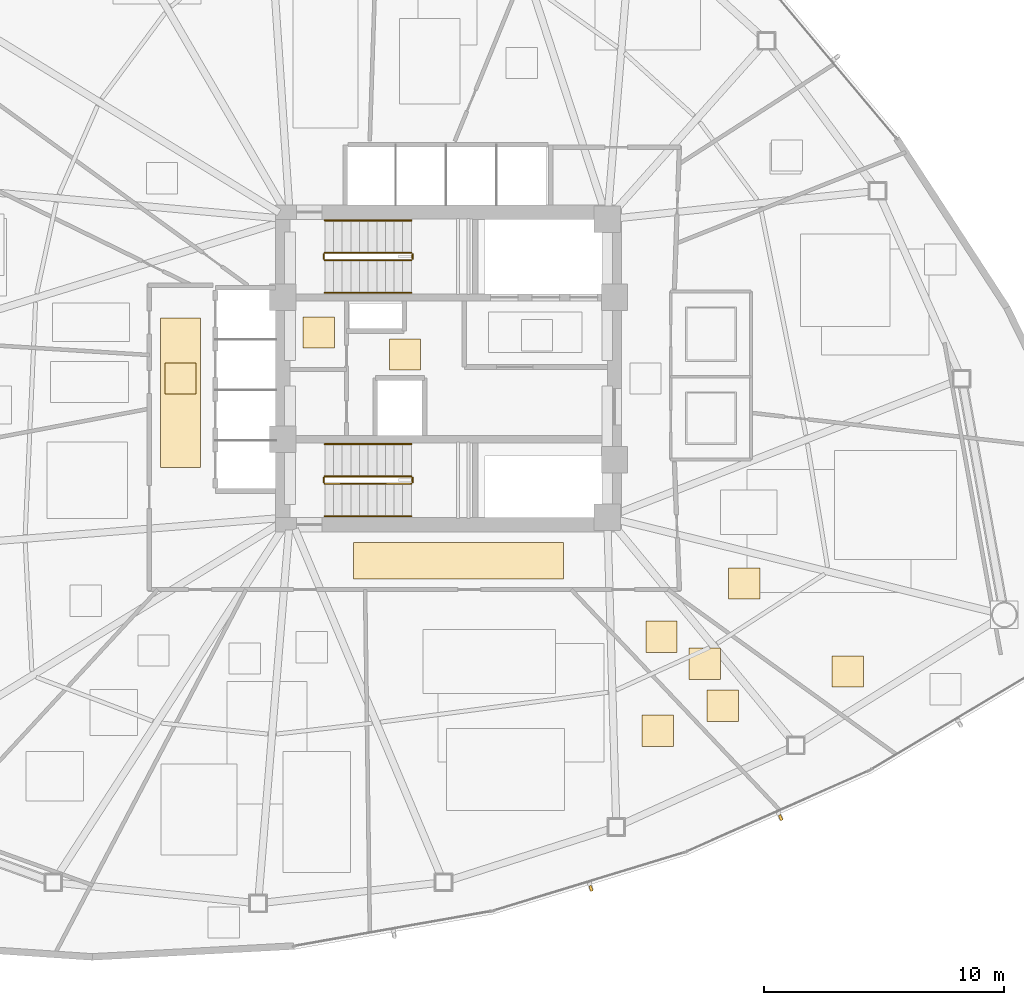
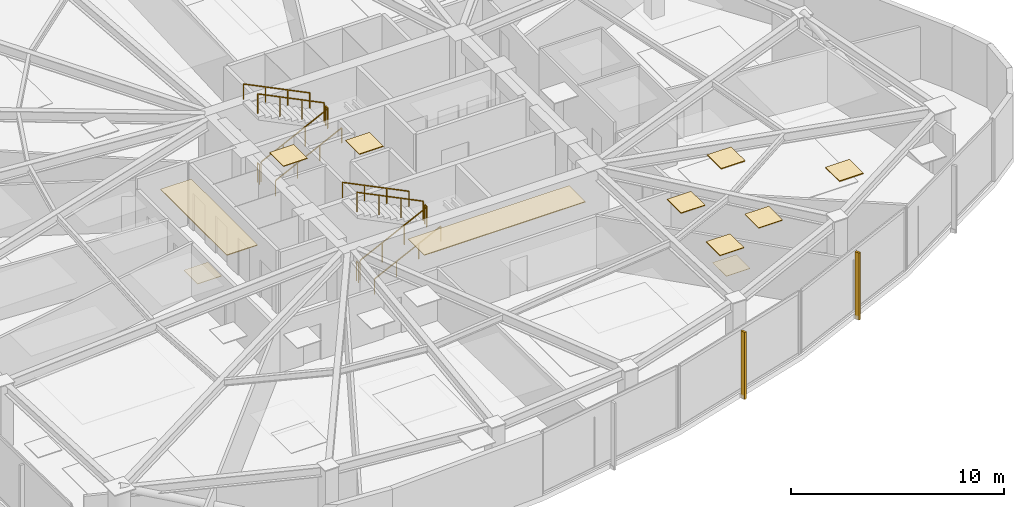
# One storey, part 15 of 17: 12 railings, 11 coverings, 2 shading devices.
"""IFC4 building model written with IfcOpenShell, lengths in metres."""

from ifc_helpers import new_model, si_unit, direction, frame, origin, origin_2d, place, context, subcontext, project, spatial, polyline, rectangle, outline, extrude, source, transform, mapped, material, layer, layer_set, type_object, type_shapes, element, save


model = new_model("IFC4")

# Units and contexts
model_context = context("Model", 3, precision=1e-05, world=origin(), true_north=direction((0.0, 1.0)))
body_context = subcontext(model_context, "Body", "Model", "MODEL_VIEW")
ifc_project = project(units=[si_unit("LENGTHUNIT", "METRE"), si_unit("AREAUNIT", "SQUARE_METRE"), si_unit("VOLUMEUNIT", "CUBIC_METRE"), si_unit("PLANEANGLEUNIT", "RADIAN"), si_unit("MASSUNIT", "GRAM", prefix="KILO")], contexts=[model_context])

# Site, building, storey
site_placement = place(None, origin())
site = spatial("IfcSite", under=ifc_project, at=site_placement, CompositionType="ELEMENT")
building_placement = place(site_placement, origin())
building = spatial("IfcBuilding", under=site, at=building_placement, Name="Tavelor Broadcast Tower", CompositionType="ELEMENT")
storey_placement = place(building_placement, frame((0.0, 0.0, 82.199951171875)))
storey = spatial("IfcBuildingStorey", under=building, at=storey_placement, Name="L19", CompositionType="ELEMENT", Elevation=82.199951171875)

# Coverings
ifc_material_1 = material(Name="Copper-Bronze Anodized Aluminium", Category="aluminium")
ifc_layer_1 = layer(ifc_material_1, 0.044921875)
ifc_layer_set_1 = layer_set([ifc_layer_1], Name="Copper-Bronze Anodized Aluminium")
covering_type_1 = type_object("IfcCoveringType", Name="Anodised Bronze Linear Slatted Concourse Ceiling 45 mm", PredefinedType="CEILING", material=ifc_layer_set_1)
covering_1_placement = place(storey_placement, frame((0.0, 0.0, 3.554931640625)))
element("IfcCovering", 1, at=covering_1_placement, inside=storey, type_object=covering_type_1, Name="L19 Suspended Acoustic Ceiling 0781", PredefinedType="CEILING", context=body_context, shape_type="SweptSolid", body=[
    extrude(outline(polyline([(47.5400390625, 44.919921875), (48.840087890625, 44.919921875), (48.840087890625, 46.219970703125), (47.5400390625, 46.219970703125), (47.5400390625, 44.919921875)])), origin(), (0.0, 0.0, 1.0), 0.045166015625),
])
covering_2_placement = place(storey_placement, frame((0.0, 0.0, 3.554931640625)))
element("IfcCovering", 2, at=covering_2_placement, inside=storey, type_object=covering_type_1, Name="L19 Suspended Acoustic Ceiling 0784", PredefinedType="CEILING", context=body_context, shape_type="SweptSolid", body=[
    extrude(outline(polyline([(46.05078125, 36.23828125), (54.776611328125, 36.23828125), (54.776611328125, 37.76171875), (46.05078125, 37.76171875), (46.05078125, 36.23828125)])), origin(), (0.0, 0.0, 1.0), 0.045166015625),
])
covering_3_placement = place(storey_placement, frame((0.0, 0.0, 3.554931640625)))
element("IfcCovering", 3, at=covering_3_placement, inside=storey, type_object=covering_type_1, Name="L19 Suspended Acoustic Ceiling 0785", PredefinedType="CEILING", context=body_context, shape_type="SweptSolid", body=[
    extrude(outline(polyline([(38.01611328125, 40.868896484375), (39.683837890625, 40.868896484375), (39.683837890625, 47.096923828125), (38.01611328125, 47.096923828125), (38.01611328125, 40.868896484375)])), origin(), (0.0, 0.0, 1.0), 0.045166015625),
])

# Railings
ifc_material_2 = material(Name="Steel S355", Category="steel")
railing_type_1 = type_object("IfcRailingType", Name="Continuous Brushed Stainless Handrail 900 mm", PredefinedType="HANDRAIL", material=ifc_material_2)
railing_1_placement = place(storey_placement, frame((44.85009765625, 48.14990234375, 0.17724609375)))
element("IfcRailing", 4, at=railing_1_placement, inside=storey, type_object=railing_type_1, Name="L19 ST1 stair handrail 1", PredefinedType="HANDRAIL", context=body_context, shape_type="SweptSolid", body=[
    extrude(rectangle(XDim=0.048095703125, YDim=0.048095703125, at=origin_2d()), frame((0.0, 0.0, 0.8759765625), z_axis=(0.897124305991, 0.0, 0.441778201817), x_axis=(0.0, 1.0, 0.0)), (0.0, 0.0, 1.0), 4.0126953125),
    extrude(rectangle(XDim=0.0419921875, YDim=0.0419921875, at=origin_2d()), origin(), (0.0, 0.0, 1.0), 0.851806640625),
    extrude(rectangle(XDim=0.0419921875, YDim=0.0419921875, at=origin_2d()), frame((1.199951171875, 0.0, 0.5908203125)), (0.0, 0.0, 1.0), 0.851806640625),
    extrude(rectangle(XDim=0.0419921875, YDim=0.0419921875, at=origin_2d()), frame((2.39990234375, 0.0, 1.181884765625)), (0.0, 0.0, 1.0), 0.851806640625),
    extrude(rectangle(XDim=0.0419921875, YDim=0.0419921875, at=origin_2d()), frame((3.599853515625, 0.0, 1.772705078125)), (0.0, 0.0, 1.0), 0.851806640625),
])
railing_2_placement = place(storey_placement, frame((48.449951171875, 51.14990234375, 2.12744140625)))
element("IfcRailing", 5, at=railing_2_placement, inside=storey, type_object=railing_type_1, Name="L19 ST1 stair handrail 2", PredefinedType="HANDRAIL", context=body_context, shape_type="SweptSolid", body=[
    extrude(rectangle(XDim=0.048095703125, YDim=0.048095703125, at=origin_2d()), frame((0.0, 0.0, 0.8759765625), z_axis=(-0.897124305991, 0.0, 0.441778201817), x_axis=(0.0, -1.0, 0.0)), (0.0, 0.0, 1.0), 4.0126953125),
    extrude(rectangle(XDim=0.0419921875, YDim=0.0419921875, at=origin_2d()), origin(), (0.0, 0.0, 1.0), 0.851806640625),
    extrude(rectangle(XDim=0.0419921875, YDim=0.0419921875, at=origin_2d()), frame((-1.199951171875, 0.0, 0.5908203125)), (0.0, 0.0, 1.0), 0.851806640625),
    extrude(rectangle(XDim=0.0419921875, YDim=0.0419921875, at=origin_2d()), frame((-2.39990234375, 0.0, 1.181884765625)), (0.0, 0.0, 1.0), 0.851806640625),
    extrude(rectangle(XDim=0.0419921875, YDim=0.0419921875, at=origin_2d()), frame((-3.599853515625, 0.0, 1.772705078125)), (0.0, 0.0, 1.0), 0.851806640625),
])
railing_3_placement = place(storey_placement, frame((44.85009765625, 38.85009765625, 0.17724609375)))
element("IfcRailing", 6, at=railing_3_placement, inside=storey, type_object=railing_type_1, Name="L19 ST2 stair handrail 1", PredefinedType="HANDRAIL", context=body_context, shape_type="SweptSolid", body=[
    extrude(rectangle(XDim=0.048095703125, YDim=0.048095703125, at=origin_2d()), frame((0.0, 0.0, 0.8759765625), z_axis=(0.897124305991, 0.0, 0.441778201817), x_axis=(0.0, 1.0, 0.0)), (0.0, 0.0, 1.0), 4.0126953125),
    extrude(rectangle(XDim=0.0419921875, YDim=0.0419921875, at=origin_2d()), origin(), (0.0, 0.0, 1.0), 0.851806640625),
    extrude(rectangle(XDim=0.0419921875, YDim=0.0419921875, at=origin_2d()), frame((1.199951171875, 0.0, 0.5908203125)), (0.0, 0.0, 1.0), 0.851806640625),
    extrude(rectangle(XDim=0.0419921875, YDim=0.0419921875, at=origin_2d()), frame((2.39990234375, 0.0, 1.181884765625)), (0.0, 0.0, 1.0), 0.851806640625),
    extrude(rectangle(XDim=0.0419921875, YDim=0.0419921875, at=origin_2d()), frame((3.599853515625, 0.0, 1.772705078125)), (0.0, 0.0, 1.0), 0.851806640625),
])
railing_4_placement = place(storey_placement, frame((48.449951171875, 41.85009765625, 2.12744140625)))
element("IfcRailing", 7, at=railing_4_placement, inside=storey, type_object=railing_type_1, Name="L19 ST2 stair handrail 2", PredefinedType="HANDRAIL", context=body_context, shape_type="SweptSolid", body=[
    extrude(rectangle(XDim=0.048095703125, YDim=0.048095703125, at=origin_2d()), frame((0.0, 0.0, 0.8759765625), z_axis=(-0.897124305991, 0.0, 0.441778201817), x_axis=(0.0, -1.0, 0.0)), (0.0, 0.0, 1.0), 4.0126953125),
    extrude(rectangle(XDim=0.0419921875, YDim=0.0419921875, at=origin_2d()), origin(), (0.0, 0.0, 1.0), 0.851806640625),
    extrude(rectangle(XDim=0.0419921875, YDim=0.0419921875, at=origin_2d()), frame((-1.199951171875, 0.0, 0.5908203125)), (0.0, 0.0, 1.0), 0.851806640625),
    extrude(rectangle(XDim=0.0419921875, YDim=0.0419921875, at=origin_2d()), frame((-2.39990234375, 0.0, 1.181884765625)), (0.0, 0.0, 1.0), 0.851806640625),
    extrude(rectangle(XDim=0.0419921875, YDim=0.0419921875, at=origin_2d()), frame((-3.599853515625, 0.0, 1.772705078125)), (0.0, 0.0, 1.0), 0.851806640625),
])

# Coverings
ifc_material_3 = material(Name="Acoustic Nylon Carpet Tile")
ifc_layer_2 = layer(ifc_material_3, 0.02001953125)
ifc_layer_set_2 = layer_set([ifc_layer_2], Name="Acoustic Nylon Carpet Tile")
covering_type_2 = type_object("IfcCoveringType", Name="Heavy-Duty Acoustic Broadcast Carpet Tile 20 mm", PredefinedType="FLOORING", material=ifc_layer_set_2)
covering_4_placement = place(storey_placement, origin())
element("IfcCovering", 8, at=covering_4_placement, inside=storey, type_object=covering_type_2, Name="L19 Broadcast Floor Finish 0275", PredefinedType="FLOORING", context=body_context, shape_type="SweptSolid", body=[
    extrude(outline(polyline([(60.01025390625, 32.06005859375), (61.310302734375, 32.06005859375), (61.310302734375, 33.360107421875), (60.01025390625, 33.360107421875), (60.01025390625, 32.06005859375)])), origin(), (0.0, 0.0, 1.0), 0.02001953125),
])
ifc_material_4 = material(Name="Honed Natural Limestone Tile", Category="masonry")
ifc_layer_3 = layer(ifc_material_4, 0.030029296875)
ifc_layer_set_3 = layer_set([ifc_layer_3], Name="Honed Natural Limestone Tile")
covering_type_3 = type_object("IfcCoveringType", Name="Honed Jerusalem Limestone Concourse Flooring 30 mm", PredefinedType="FLOORING", material=ifc_layer_set_3)
covering_5_placement = place(storey_placement, origin())
element("IfcCovering", 9, at=covering_5_placement, inside=storey, type_object=covering_type_3, Name="L19 Broadcast Floor Finish 0272", PredefinedType="FLOORING", context=body_context, shape_type="SweptSolid", body=[
    extrude(outline(polyline([(38.199951171875, 43.925048828125), (39.5, 43.925048828125), (39.5, 45.22509765625), (38.199951171875, 45.22509765625), (38.199951171875, 43.925048828125)])), origin(), (0.0, 0.0, 1.0), 0.030029296875),
])
ifc_material_5 = material(Name="Acoustic Perforated Timber Baffle", Category="wood")
ifc_layer_4 = layer(ifc_material_5, 0.054931640625)
ifc_layer_set_4 = layer_set([ifc_layer_4], Name="Acoustic Perforated Timber Baffle")
covering_type_4 = type_object("IfcCoveringType", Name="Micro-Perforated Acoustic Baffle Studio Ceiling 55 mm", PredefinedType="CEILING", material=ifc_layer_set_4)
covering_6_placement = place(storey_placement, frame((0.0, 0.0, 3.545166015625)))
element("IfcCovering", 10, at=covering_6_placement, inside=storey, type_object=covering_type_4, Name="L19 Suspended Acoustic Ceiling 0824", PredefinedType="CEILING", context=body_context, shape_type="SweptSolid", body=[
    extrude(outline(polyline([(65.956787109375, 31.7373046875), (67.256591796875, 31.7373046875), (67.256591796875, 33.037353515625), (65.956787109375, 33.037353515625), (65.956787109375, 31.7373046875)])), origin(), (0.0, 0.0, 1.0), 0.054931640625),
])
covering_7_placement = place(storey_placement, frame((0.0, 0.0, 3.545166015625)))
element("IfcCovering", 11, at=covering_7_placement, inside=storey, type_object=covering_type_4, Name="L19 Suspended Acoustic Ceiling 0826", PredefinedType="CEILING", context=body_context, shape_type="SweptSolid", body=[
    extrude(outline(polyline([(61.6533203125, 35.400146484375), (62.953369140625, 35.400146484375), (62.953369140625, 36.7001953125), (61.6533203125, 36.7001953125), (61.6533203125, 35.400146484375)])), origin(), (0.0, 0.0, 1.0), 0.054931640625),
])

# Railings
railing_type_2 = type_object("IfcRailingType", Name="Stairwell Steel Safety Guardrail 1150 mm", PredefinedType="GUARDRAIL", material=ifc_material_2)
railing_5_placement = place(storey_placement, frame((44.85009765625, 49.5, 0.17724609375)))
element("IfcRailing", 12, at=railing_5_placement, inside=storey, type_object=railing_type_2, Name="L19 ST1 stair guard 1", PredefinedType="GUARDRAIL", context=body_context, shape_type="SweptSolid", body=[
    extrude(rectangle(XDim=0.048095703125, YDim=0.048095703125, at=origin_2d()), frame((0.0, 0.0, 1.1259765625), z_axis=(0.897124305991, 0.0, 0.441778201817), x_axis=(0.0, 1.0, 0.0)), (0.0, 0.0, 1.0), 4.0126953125),
    extrude(rectangle(XDim=0.0419921875, YDim=0.0419921875, at=origin_2d()), origin(), (0.0, 0.0, 1.0), 1.101806640625),
    extrude(rectangle(XDim=0.0419921875, YDim=0.0419921875, at=origin_2d()), frame((1.199951171875, 0.0, 0.5908203125)), (0.0, 0.0, 1.0), 1.101806640625),
    extrude(rectangle(XDim=0.0419921875, YDim=0.0419921875, at=origin_2d()), frame((2.39990234375, 0.0, 1.181884765625)), (0.0, 0.0, 1.0), 1.101806640625),
    extrude(rectangle(XDim=0.0419921875, YDim=0.0419921875, at=origin_2d()), frame((3.599853515625, 0.0, 1.772705078125)), (0.0, 0.0, 1.0), 1.101806640625),
])
railing_6_placement = place(storey_placement, frame((48.5, 49.550048828125, 1.949951171875)))
element("IfcRailing", 13, at=railing_6_placement, inside=storey, type_object=railing_type_2, Name="L19 ST1 stair guard 2", PredefinedType="GUARDRAIL", context=body_context, shape_type="SweptSolid", body=[
    extrude(rectangle(XDim=0.048095703125, YDim=0.048095703125, at=origin_2d()), frame((0.0, 0.0, 1.1259765625), z_axis=(0.0, 1.0, 0.0), x_axis=(-1.0, 0.0, 0.0)), (0.0, 0.0, 1.0), 0.199951171875),
    extrude(rectangle(XDim=0.0419921875, YDim=0.0419921875, at=origin_2d()), origin(), (0.0, 0.0, 1.0), 1.101806640625),
    extrude(rectangle(XDim=0.0419921875, YDim=0.0419921875, at=origin_2d()), frame((0.0, 0.199951171875, 0.0)), (0.0, 0.0, 1.0), 1.101806640625),
])
railing_7_placement = place(storey_placement, frame((48.449951171875, 49.800048828125, 2.12744140625)))
element("IfcRailing", 14, at=railing_7_placement, inside=storey, type_object=railing_type_2, Name="L19 ST1 stair guard 3", PredefinedType="GUARDRAIL", context=body_context, shape_type="SweptSolid", body=[
    extrude(rectangle(XDim=0.048095703125, YDim=0.048095703125, at=origin_2d()), frame((0.0, 0.0, 1.1259765625), z_axis=(-0.897124305991, 0.0, 0.441778201817), x_axis=(0.0, -1.0, 0.0)), (0.0, 0.0, 1.0), 4.0126953125),
    extrude(rectangle(XDim=0.0419921875, YDim=0.0419921875, at=origin_2d()), origin(), (0.0, 0.0, 1.0), 1.101806640625),
    extrude(rectangle(XDim=0.0419921875, YDim=0.0419921875, at=origin_2d()), frame((-1.199951171875, 0.0, 0.5908203125)), (0.0, 0.0, 1.0), 1.101806640625),
    extrude(rectangle(XDim=0.0419921875, YDim=0.0419921875, at=origin_2d()), frame((-2.39990234375, 0.0, 1.181884765625)), (0.0, 0.0, 1.0), 1.101806640625),
    extrude(rectangle(XDim=0.0419921875, YDim=0.0419921875, at=origin_2d()), frame((-3.599853515625, 0.0, 1.772705078125)), (0.0, 0.0, 1.0), 1.101806640625),
])
railing_8_placement = place(storey_placement, frame((44.800048828125, 49.550048828125, 0.0)))
element("IfcRailing", 15, at=railing_8_placement, inside=storey, type_object=railing_type_2, Name="L19 ST1 stair guard 4", PredefinedType="GUARDRAIL", context=body_context, shape_type="SweptSolid", body=[
    extrude(rectangle(XDim=0.048095703125, YDim=0.048095703125, at=origin_2d()), frame((0.0, 0.0, 1.1259765625), z_axis=(0.0, 1.0, 0.0), x_axis=(-1.0, 0.0, 0.0)), (0.0, 0.0, 1.0), 0.199951171875),
    extrude(rectangle(XDim=0.0419921875, YDim=0.0419921875, at=origin_2d()), origin(), (0.0, 0.0, 1.0), 1.101806640625),
    extrude(rectangle(XDim=0.0419921875, YDim=0.0419921875, at=origin_2d()), frame((0.0, 0.199951171875, 0.0)), (0.0, 0.0, 1.0), 1.101806640625),
])
railing_9_placement = place(storey_placement, frame((44.85009765625, 40.199951171875, 0.17724609375)))
element("IfcRailing", 16, at=railing_9_placement, inside=storey, type_object=railing_type_2, Name="L19 ST2 stair guard 1", PredefinedType="GUARDRAIL", context=body_context, shape_type="SweptSolid", body=[
    extrude(rectangle(XDim=0.048095703125, YDim=0.048095703125, at=origin_2d()), frame((0.0, 0.0, 1.1259765625), z_axis=(0.897124305991, 0.0, 0.441778201817), x_axis=(0.0, 1.0, 0.0)), (0.0, 0.0, 1.0), 4.0126953125),
    extrude(rectangle(XDim=0.0419921875, YDim=0.0419921875, at=origin_2d()), origin(), (0.0, 0.0, 1.0), 1.101806640625),
    extrude(rectangle(XDim=0.0419921875, YDim=0.0419921875, at=origin_2d()), frame((1.199951171875, 0.0, 0.5908203125)), (0.0, 0.0, 1.0), 1.101806640625),
    extrude(rectangle(XDim=0.0419921875, YDim=0.0419921875, at=origin_2d()), frame((2.39990234375, 0.0, 1.181884765625)), (0.0, 0.0, 1.0), 1.101806640625),
    extrude(rectangle(XDim=0.0419921875, YDim=0.0419921875, at=origin_2d()), frame((3.599853515625, 0.0, 1.772705078125)), (0.0, 0.0, 1.0), 1.101806640625),
])
railing_10_placement = place(storey_placement, frame((48.5, 40.25, 1.949951171875)))
element("IfcRailing", 17, at=railing_10_placement, inside=storey, type_object=railing_type_2, Name="L19 ST2 stair guard 2", PredefinedType="GUARDRAIL", context=body_context, shape_type="SweptSolid", body=[
    extrude(rectangle(XDim=0.048095703125, YDim=0.048095703125, at=origin_2d()), frame((0.0, 0.0, 1.1259765625), z_axis=(0.0, 1.0, 0.0), x_axis=(-1.0, 0.0, 0.0)), (0.0, 0.0, 1.0), 0.199951171875),
    extrude(rectangle(XDim=0.0419921875, YDim=0.0419921875, at=origin_2d()), origin(), (0.0, 0.0, 1.0), 1.101806640625),
    extrude(rectangle(XDim=0.0419921875, YDim=0.0419921875, at=origin_2d()), frame((0.0, 0.199951171875, 0.0)), (0.0, 0.0, 1.0), 1.101806640625),
])
railing_11_placement = place(storey_placement, frame((48.449951171875, 40.5, 2.12744140625)))
element("IfcRailing", 18, at=railing_11_placement, inside=storey, type_object=railing_type_2, Name="L19 ST2 stair guard 3", PredefinedType="GUARDRAIL", context=body_context, shape_type="SweptSolid", body=[
    extrude(rectangle(XDim=0.048095703125, YDim=0.048095703125, at=origin_2d()), frame((0.0, 0.0, 1.1259765625), z_axis=(-0.897124305991, 0.0, 0.441778201817), x_axis=(0.0, -1.0, 0.0)), (0.0, 0.0, 1.0), 4.0126953125),
    extrude(rectangle(XDim=0.0419921875, YDim=0.0419921875, at=origin_2d()), origin(), (0.0, 0.0, 1.0), 1.101806640625),
    extrude(rectangle(XDim=0.0419921875, YDim=0.0419921875, at=origin_2d()), frame((-1.199951171875, 0.0, 0.5908203125)), (0.0, 0.0, 1.0), 1.101806640625),
    extrude(rectangle(XDim=0.0419921875, YDim=0.0419921875, at=origin_2d()), frame((-2.39990234375, 0.0, 1.181884765625)), (0.0, 0.0, 1.0), 1.101806640625),
    extrude(rectangle(XDim=0.0419921875, YDim=0.0419921875, at=origin_2d()), frame((-3.599853515625, 0.0, 1.772705078125)), (0.0, 0.0, 1.0), 1.101806640625),
])
railing_12_placement = place(storey_placement, frame((44.800048828125, 40.25, 0.0)))
element("IfcRailing", 19, at=railing_12_placement, inside=storey, type_object=railing_type_2, Name="L19 ST2 stair guard 4", PredefinedType="GUARDRAIL", context=body_context, shape_type="SweptSolid", body=[
    extrude(rectangle(XDim=0.048095703125, YDim=0.048095703125, at=origin_2d()), frame((0.0, 0.0, 1.1259765625), z_axis=(0.0, 1.0, 0.0), x_axis=(-1.0, 0.0, 0.0)), (0.0, 0.0, 1.0), 0.199951171875),
    extrude(rectangle(XDim=0.0419921875, YDim=0.0419921875, at=origin_2d()), origin(), (0.0, 0.0, 1.0), 1.101806640625),
    extrude(rectangle(XDim=0.0419921875, YDim=0.0419921875, at=origin_2d()), frame((0.0, 0.199951171875, 0.0)), (0.0, 0.0, 1.0), 1.101806640625),
])

# Coverings
ifc_material_6 = material(Name="Acoustic Mineral Fibre Tile")
ifc_layer_5 = layer(ifc_material_6, 0.0400390625)
ifc_layer_set_5 = layer_set([ifc_layer_5], Name="Acoustic Mineral Fibre Tile")
covering_type_5 = type_object("IfcCoveringType", Name="Suspended Acoustic Mineral-Fibre Office Ceiling 40 mm", PredefinedType="CEILING", material=ifc_layer_set_5)
covering_8_placement = place(storey_placement, frame((0.0, 0.0, 3.56005859375)))
element("IfcCovering", 20, at=covering_8_placement, inside=storey, type_object=covering_type_5, Name="L19 Suspended Acoustic Ceiling 0782", PredefinedType="CEILING", context=body_context, shape_type="SweptSolid", body=[
    extrude(outline(polyline([(43.951416015625, 45.843017578125), (45.25146484375, 45.843017578125), (45.25146484375, 47.14306640625), (43.951416015625, 47.14306640625), (43.951416015625, 45.843017578125)])), origin(), (0.0, 0.0, 1.0), 0.0400390625),
])
covering_9_placement = place(storey_placement, frame((0.0, 0.0, 3.56005859375)))
element("IfcCovering", 21, at=covering_9_placement, inside=storey, type_object=covering_type_5, Name="L19 Suspended Acoustic Ceiling 0788", PredefinedType="CEILING", context=body_context, shape_type="SweptSolid", body=[
    extrude(outline(polyline([(60.754150390625, 30.3115234375), (62.05419921875, 30.3115234375), (62.05419921875, 31.611572265625), (60.754150390625, 31.611572265625), (60.754150390625, 30.3115234375)])), origin(), (0.0, 0.0, 1.0), 0.0400390625),
])
covering_10_placement = place(storey_placement, frame((0.0, 0.0, 3.56005859375)))
element("IfcCovering", 22, at=covering_10_placement, inside=storey, type_object=covering_type_5, Name="L19 Suspended Acoustic Ceiling 0789", PredefinedType="CEILING", context=body_context, shape_type="SweptSolid", body=[
    extrude(outline(polyline([(58.20654296875, 33.186279296875), (59.506591796875, 33.186279296875), (59.506591796875, 34.486083984375), (58.20654296875, 34.486083984375), (58.20654296875, 33.186279296875)])), origin(), (0.0, 0.0, 1.0), 0.0400390625),
])
covering_11_placement = place(storey_placement, frame((0.0, 0.0, 3.56005859375)))
element("IfcCovering", 23, at=covering_11_placement, inside=storey, type_object=covering_type_5, Name="L19 Suspended Acoustic Ceiling 0791", PredefinedType="CEILING", context=body_context, shape_type="SweptSolid", body=[
    extrude(outline(polyline([(58.0517578125, 29.266845703125), (59.351806640625, 29.266845703125), (59.351806640625, 30.56689453125), (58.0517578125, 30.56689453125), (58.0517578125, 29.266845703125)])), origin(), (0.0, 0.0, 1.0), 0.0400390625),
])

# Shading devices
ifc_material_7 = material(Name="Kiln-Fired Glazed Terracotta", Category="masonry")
shading_device_type = type_object("IfcShadingDeviceType", Name="Extruded Terracotta Baguette Sun-Screen 110x240", PredefinedType="JALOUSIE", material=ifc_material_7)
shared_shape = source(origin(), body_context, "Body", "SweptSolid", [
    extrude(rectangle(XDim=0.110107421875, YDim=0.239990234375, at=origin_2d()), origin(), (0.0, 0.0, 1.0), 3.840087890625),
])
type_shapes(shading_device_type, [shared_shape])
for number, where, z_axis, x_axis, name in (
    (24, (55.923828125, 23.36181640625, -0.259765625), (0.0, 0.0, 1.0), (0.956406754677, 0.292037873584, 0.0), "L19 Terracotta Baguette Fin 186"),
    (25, (63.81201171875, 26.303466796875, -0.259765625), (0.0, 0.0, 1.0), (0.914041698281, 0.405620233474, 0.0), "L19 Terracotta Baguette Fin 187"),
):
    element("IfcShadingDevice", number, at=place(storey_placement, frame(where, z_axis=z_axis, x_axis=x_axis)), inside=storey, type_object=shading_device_type, Name=name, PredefinedType="JALOUSIE", context=body_context, shape_type="MappedRepresentation", body=[
        mapped(shared_shape, transform((0.0, 0.0, 0.0), scale=1.0)),
    ])

save(model, "model.ifc")
